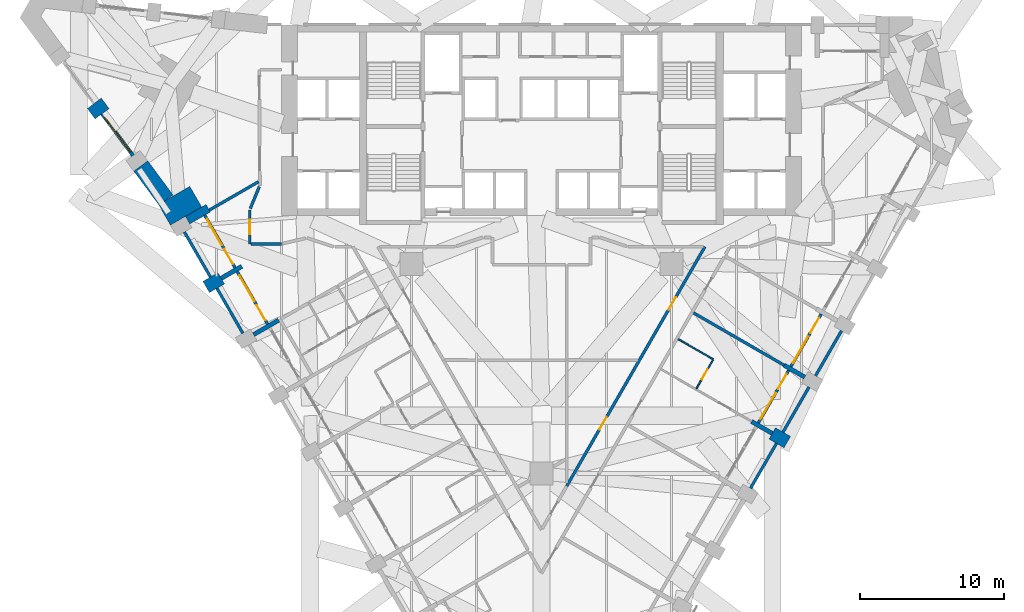
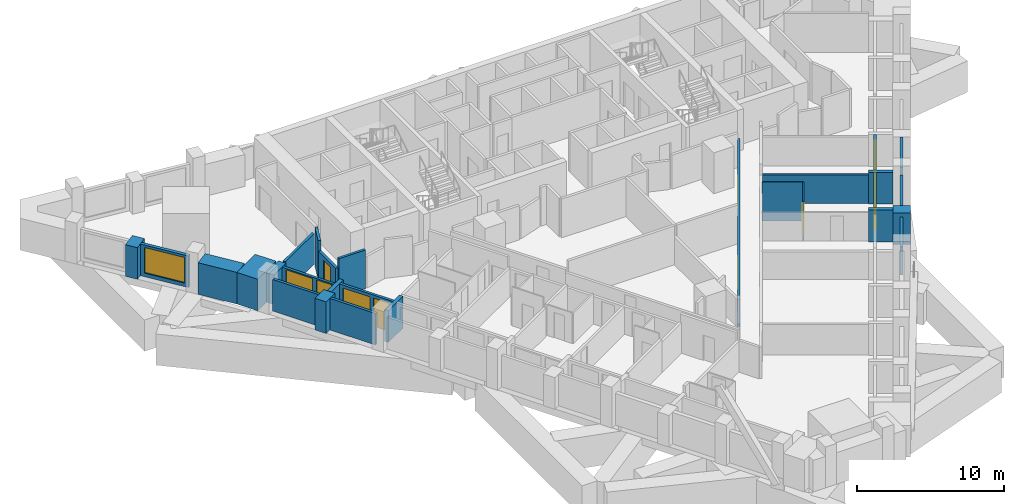
# One storey, part 6 of 12: 28 walls, 8 doors, 5 windows, 13 openings.
"""IFC4 building model written with IfcOpenShell, lengths in metres."""

from ifc_helpers import new_model, si_unit, direction, frame, frame_2d, origin, place, context, subcontext, project, spatial, polyline, rectangle, outline, extrude, material, layer, layer_set, type_object, element, fill, save


model = new_model("IFC4")

# Units and contexts
model_context = context("Model", 3, precision=1e-05, world=origin(), true_north=direction((0.0, 1.0)))
body_context = subcontext(model_context, "Body", "Model", "MODEL_VIEW")
ifc_project = project(units=[si_unit("LENGTHUNIT", "METRE"), si_unit("AREAUNIT", "SQUARE_METRE"), si_unit("VOLUMEUNIT", "CUBIC_METRE"), si_unit("PLANEANGLEUNIT", "RADIAN"), si_unit("MASSUNIT", "GRAM", prefix="KILO")], contexts=[model_context])

# Site, building, storey
site_placement = place(None, origin())
site = spatial("IfcSite", under=ifc_project, at=site_placement, CompositionType="ELEMENT")
building_placement = place(site_placement, origin())
building = spatial("IfcBuilding", under=site, at=building_placement, Name="Calabash Gate Tower", CompositionType="ELEMENT")
storey_placement = place(building_placement, frame((0.0, 0.0, 46.0)))
storey = spatial("IfcBuildingStorey", under=building, at=storey_placement, Name="L06", CompositionType="ELEMENT", Elevation=46.0)

# Walls
ifc_material_1 = material(Name="Terracotta brick masonry, exposed face", Category="masonry")
ifc_layer_1 = layer(ifc_material_1, 2.5)
ifc_layer_set_1 = layer_set([ifc_layer_1], Name="Brick corner mass wall 2500")
wall_type_1 = type_object("IfcWallType", Name="Brick corner mass wall 2500", PredefinedType="SOLIDWALL", material=ifc_layer_set_1)
wall_1_placement = place(storey_placement, origin())
element("IfcWall", 1, at=wall_1_placement, inside=storey, type_object=wall_type_1, Name="Brick corner pier S01 1", PredefinedType="SOLIDWALL", context=body_context, shape_type="SweptSolid", body=[
    extrude(outline(polyline([(-25.694580078125, 5.19970703125), (-24.6552734375, 5.7998046875), (-24.6552734375, 5.79931640625), (-23.529541015625, 6.44921875), (-24.3544921875, 7.878173828125), (-26.51953125, 6.628173828125), (-25.694580078125, 5.19921875), (-25.6943359375, 5.199462890625), (-25.694580078125, 5.19970703125)])), origin(), (0.0, 0.0, 1.0), 2.6298828125),
])
ifc_material_2 = material(Name="Terracotta brick masonry, exposed face", Category="masonry")
ifc_layer_2 = layer(ifc_material_2, 1.199951171875)
ifc_layer_set_2 = layer_set([ifc_layer_2], Name="Brick end wall 1200")
wall_type_2 = type_object("IfcWallType", Name="Brick end wall 1200", PredefinedType="SOLIDWALL", material=ifc_layer_set_2)
wall_2_placement = place(storey_placement, frame((-23.2197265625, 0.912353515625, 0.0), z_axis=(0.0, 0.0, 1.0), x_axis=(0.866006032174, 0.500033551112, 0.0)))
element("IfcWall", 2, at=wall_2_placement, inside=storey, type_object=wall_type_2, Name="Brick pier S01 SW0.1", PredefinedType="SOLIDWALL", context=body_context, shape_type="SweptSolid", body=[
    extrude(rectangle(XDim=1.2001953125, YDim=0.89990234375, at=frame_2d((0.60009765625, 0.0))), origin(), (0.0, 0.0, 1.0), 2.6298828125),
])
wall_3_placement = place(storey_placement, frame((17.01953125, -9.826171875, 0.0), z_axis=(0.0, 0.0, 1.0), x_axis=(-0.866043267704, 0.499969057507, 0.0)))
element("IfcWall", 3, at=wall_3_placement, inside=storey, type_object=wall_type_2, Name="Brick pier S01 SE2.5", PredefinedType="SOLIDWALL", context=body_context, shape_type="SweptSolid", body=[
    extrude(rectangle(XDim=1.19970703125, YDim=0.89990234375, at=frame_2d((0.599853515625, 0.0))), origin(), (0.0, 0.0, 1.0), 2.6298828125),
])
wall_4_placement = place(storey_placement, frame((-31.178466796875, 12.91015625, 0.0), z_axis=(0.0, 0.0, 1.0), x_axis=(0.803549985832, 0.595237280644, 0.0)))
element("IfcWall", 4, at=wall_4_placement, inside=storey, type_object=wall_type_2, Name="Brick pier S01 wedge7.1", PredefinedType="SOLIDWALL", context=body_context, shape_type="SweptSolid", body=[
    extrude(rectangle(XDim=1.2001953125, YDim=0.89990234375, at=frame_2d((0.60009765625, 0.0))), origin(), (0.0, 0.0, 1.0), 2.6298828125),
])
wall_5_placement = place(storey_placement, origin())
element("IfcWall", 5, at=wall_5_placement, inside=storey, type_object=wall_type_2, Name="Brick end wall S01 3", PredefinedType="SOLIDWALL", context=body_context, shape_type="SweptSolid", body=[
    extrude(outline(polyline([(-25.517822265625, 7.285400390625), (-27.267578125, 9.64697265625), (-27.26806640625, 9.646728515625), (-27.26806640625, 9.646484375), (-28.231689453125, 8.9326171875), (-26.50244140625, 6.5986328125), (-26.51953125, 6.628173828125), (-26.0, 6.92822265625), (-25.517822265625, 7.285400390625)])), origin(), (0.0, 0.0, 1.0), 2.6298828125),
])
ifc_material_3 = material(Name="Terracotta brick masonry, exposed face", Category="masonry")
ifc_layer_3 = layer(ifc_material_3, 0.300048828125)
ifc_layer_set_3 = layer_set([ifc_layer_3], Name="Brick loggia cheek wall 300")
wall_type_3 = type_object("IfcWallType", Name="Brick loggia cheek wall 300", PredefinedType="SOLIDWALL", material=ifc_layer_set_3)
wall_6_placement = place(storey_placement, frame((-24.505126953125, 5.53955078125, 0.0), z_axis=(0.0, 0.0, 1.0), x_axis=(0.866003217194, 0.500038426333, 0.0)))
element("IfcWall", 6, at=wall_6_placement, inside=storey, type_object=wall_type_3, Name="Loggia cheek S01 SW0.0", PredefinedType="SOLIDWALL", context=body_context, shape_type="SweptSolid", body=[
    extrude(rectangle(XDim=1.649658203125, YDim=0.60009765625, at=frame_2d((0.82470703125, 0.0))), origin(), (0.0, 0.0, 1.0), 2.4501953125),
])
wall_7_placement = place(storey_placement, frame((-22.180419921875, 1.512451171875, 0.0), z_axis=(0.0, 0.0, 1.0), x_axis=(0.866040211805, 0.499974350878, 0.0)))
element("IfcWall", 7, at=wall_7_placement, inside=storey, type_object=wall_type_3, Name="Loggia cheek S01 SW0.1", PredefinedType="SOLIDWALL", context=body_context, shape_type="SweptSolid", body=[
    extrude(rectangle(XDim=1.64990234375, YDim=0.300048828125, at=frame_2d((0.824951171875, 0.0))), origin(), (0.0, 0.0, 1.0), 2.64990234375),
])
wall_8_placement = place(storey_placement, frame((-19.9296875, -2.38427734375, 0.0), z_axis=(0.0, 0.0, 1.0), x_axis=(0.866057602843, 0.499944225447, 0.0)))
element("IfcWall", 8, at=wall_8_placement, inside=storey, type_object=wall_type_3, Name="Loggia cheek S01 SW0.2", PredefinedType="SOLIDWALL", context=body_context, shape_type="SweptSolid", body=[
    extrude(rectangle(XDim=2.001220703125, YDim=0.300048828125, at=frame_2d((1.00048828125, 0.0))), origin(), (0.0, 0.0, 1.0), 2.64990234375),
])
wall_9_placement = place(storey_placement, frame((15.98046875, -9.226318359375, 0.0), z_axis=(0.0, 0.0, 1.0), x_axis=(-0.866040211805, 0.499974350878, 0.0)))
element("IfcWall", 9, at=wall_9_placement, inside=storey, type_object=wall_type_3, Name="Loggia cheek S01 SE2.5", PredefinedType="SOLIDWALL", context=body_context, shape_type="SweptSolid", body=[
    extrude(rectangle(XDim=1.64990234375, YDim=0.300048828125, at=frame_2d((0.824951171875, 0.0))), origin(), (0.0, 0.0, 1.0), 2.64990234375),
])
wall_10_placement = place(storey_placement, frame((18.230224609375, -5.3291015625, 0.0), z_axis=(0.0, 0.0, 1.0), x_axis=(-0.866003217194, 0.500038426333, 0.0)))
element("IfcWall", 10, at=wall_10_placement, inside=storey, type_object=wall_type_3, Name="Loggia cheek S01 SE2.6", PredefinedType="SOLIDWALL", context=body_context, shape_type="SweptSolid", body=[
    extrude(rectangle(XDim=1.649658203125, YDim=0.300048828125, at=frame_2d((0.82470703125, 0.0))), origin(), (0.0, 0.0, 1.0), 2.64990234375),
])

# Wall, opening, door
ifc_material_4 = material(Name="Gypsum board on steel studs, mineral wool", Category="steel")
ifc_layer_4 = layer(ifc_material_4, 0.10009765625)
ifc_layer_set_4 = layer_set([ifc_layer_4], Name="Partition 100 gypsum board")
wall_type_4 = type_object("IfcWallType", Name="Partition 100 gypsum board", PredefinedType="PARTITIONING", material=ifc_layer_set_4)
wall_11_placement = place(storey_placement, frame((10.72216796875, -6.13037109375, 0.0), z_axis=(0.0, 0.0, 1.0), x_axis=(0.500617411337, 0.865668647617, 0.0)))
wall_11 = element("IfcWall", 11, at=wall_11_placement, inside=storey, type_object=wall_type_4, Name="Partition", PredefinedType="PARTITIONING", context=body_context, shape_type="SweptSolid", body=[
    extrude(rectangle(XDim=2.2978515625, YDim=0.10009765625, at=frame_2d((1.14892578125, 0.0))), origin(), (0.0, 0.0, 1.0), 3.22998046875),
])
opening_1_placement = place(wall_11_placement, frame((0.748046875, 0.0, 0.0)))
opening_1 = element("IfcOpeningElement", 12, at=opening_1_placement, cuts=wall_11, Name="Opening 06-08-012", PredefinedType="OPENING", context=body_context, shape_type="SweptSolid", body=[
    extrude(rectangle(XDim=0.800048828125, YDim=2.10009765625, at=frame_2d((0.39990234375, 1.050048828125))), frame((0.0, 0.06005859375, 0.0), z_axis=(0.0, -1.0, 0.0), x_axis=(1.0, 0.0, 0.0)), (0.0, 0.0, 1.0), 0.1201171875),
])
ifc_material_5 = material(Name="Painted timber door", Category="wood")
door_type_1 = type_object("IfcDoorType", Name="GD5 En-suite door 800x2100", OperationType="NOTDEFINED", PredefinedType="DOOR", material=ifc_material_5)
door_1_placement = place(opening_1_placement, origin())
door_1 = element("IfcDoor", 13, at=door_1_placement, inside=storey, type_object=door_type_1, Name="En-suite door", OperationType="SINGLE_SWING_RIGHT", OverallHeight=2.10009765625, OverallWidth=0.800048828125, PredefinedType="DOOR", context=body_context, shape_type="SweptSolid", body=[
    extrude(rectangle(XDim=0.800048828125, YDim=2.10009765625, at=frame_2d((0.39990234375, 1.050048828125))), frame((0.0, 0.02490234375, 0.0), z_axis=(0.0, -1.0, 0.0), x_axis=(1.0, 0.0, 0.0)), (0.0, 0.0, 1.0), 0.050048828125),
])
fill(opening_1, door_1)

# Wall
wall_12_placement = place(storey_placement, frame((9.47216796875, -2.69921875, 0.0), z_axis=(0.0, 0.0, 1.0), x_axis=(0.866288634608, -0.499543793424, 0.0)))
element("IfcWall", 14, at=wall_12_placement, inside=storey, type_object=wall_type_4, Name="Partition", PredefinedType="PARTITIONING", context=body_context, shape_type="SweptSolid", body=[
    extrude(rectangle(XDim=2.7998046875, YDim=0.10009765625, at=frame_2d((1.39990234375, 0.0))), origin(), (0.0, 0.0, 1.0), 3.22998046875),
])

# Wall, openings, doors
ifc_material_6 = material(Name="Gypsum board on steel studs, mineral wool", Category="steel")
ifc_layer_5 = layer(ifc_material_6, 0.199951171875)
ifc_layer_set_5 = layer_set([ifc_layer_5], Name="Partition 200 gypsum board EI 60")
wall_type_5 = type_object("IfcWallType", Name="Partition 200 gypsum board EI 60", PredefinedType="PARTITIONING", material=ifc_layer_set_5)
wall_13_placement = place(storey_placement, frame((1.75, -12.8701171875, 0.0), z_axis=(0.0, 0.0, 1.0), x_axis=(0.499999309361, 0.866025802525, 0.0)))
wall_13 = element("IfcWall", 15, at=wall_13_placement, inside=storey, type_object=wall_type_5, Name="Partition", PredefinedType="PARTITIONING", context=body_context, shape_type="SweptSolid", body=[
    extrude(rectangle(XDim=19.13427734375, YDim=0.199951171875, at=frame_2d((9.567138671875, 0.0))), origin(), (0.0, 0.0, 1.0), 2.302490234375),
])
opening_2_placement = place(wall_13_placement, frame((14.097900390625, 0.0, 0.0)))
opening_2 = element("IfcOpeningElement", 16, at=opening_2_placement, cuts=wall_13, Name="Opening 06-08-015", PredefinedType="OPENING", context=body_context, shape_type="SweptSolid", body=[
    extrude(rectangle(XDim=1.0, YDim=2.10009765625, at=frame_2d((0.5, 1.050048828125))), frame((0.0, 0.10986328125, 0.0), z_axis=(0.0, -1.0, 0.0), x_axis=(1.0, 0.0, 0.0)), (0.0, 0.0, 1.0), 0.219970703125),
])
opening_3_placement = place(wall_13_placement, frame((4.530029296875, 0.0, 0.0)))
opening_3 = element("IfcOpeningElement", 17, at=opening_3_placement, cuts=wall_13, Name="Opening 06-08-016", PredefinedType="OPENING", context=body_context, shape_type="SweptSolid", body=[
    extrude(rectangle(XDim=1.0, YDim=2.10009765625, at=frame_2d((0.5, 1.050048828125))), frame((0.0, 0.10986328125, 0.0), z_axis=(0.0, -1.0, 0.0), x_axis=(1.0, 0.0, 0.0)), (0.0, 0.0, 1.0), 0.219970703125),
])
ifc_material_7 = material(Name="Steel fire door set with fire-resisting glazing", Category="steel")
door_type_2 = type_object("IfcDoorType", Name="LD2 Meeting room door 1000x2100", OperationType="NOTDEFINED", PredefinedType="DOOR", material=ifc_material_7)
door_2_placement = place(opening_2_placement, origin())
door_2 = element("IfcDoor", 18, at=door_2_placement, inside=storey, type_object=door_type_2, Name="Meeting room door", OperationType="SINGLE_SWING_RIGHT", OverallHeight=2.10009765625, OverallWidth=1.0, PredefinedType="DOOR", context=body_context, shape_type="SweptSolid", body=[
    extrude(rectangle(XDim=1.0, YDim=2.10009765625, at=frame_2d((0.5, 1.050048828125))), frame((0.0, 0.02490234375, 0.0), z_axis=(0.0, -1.0, 0.0), x_axis=(1.0, 0.0, 0.0)), (0.0, 0.0, 1.0), 0.050048828125),
])
fill(opening_2, door_2)
door_3_placement = place(opening_3_placement, origin())
door_3 = element("IfcDoor", 19, at=door_3_placement, inside=storey, type_object=door_type_2, Name="Meeting room door", OperationType="SINGLE_SWING_LEFT", OverallHeight=2.10009765625, OverallWidth=1.0, PredefinedType="DOOR", context=body_context, shape_type="SweptSolid", body=[
    extrude(rectangle(XDim=1.0, YDim=2.10009765625, at=frame_2d((0.5, 1.050048828125))), frame((0.0, 0.02490234375, 0.0), z_axis=(0.0, -1.0, 0.0), x_axis=(1.0, 0.0, 0.0)), (0.0, 0.0, 1.0), 0.050048828125),
])
fill(opening_3, door_3)

# Walls
wall_14_placement = place(storey_placement, frame((10.525390625, -0.87841796875, 0.0), z_axis=(0.0, 0.0, 1.0), x_axis=(0.865907869998, -0.500203519255, 0.0)))
element("IfcWall", 20, at=wall_14_placement, inside=storey, type_object=wall_type_5, Name="Partition", PredefinedType="PARTITIONING", context=body_context, shape_type="SweptSolid", body=[
    extrude(rectangle(XDim=7.248046875, YDim=0.199951171875, at=frame_2d((3.6240234375, 0.0))), origin(), (0.0, 0.0, 1.0), 2.384033203125),
])
wall_15_placement = place(storey_placement, frame((-20.10009765625, 3.899658203125, 0.0), z_axis=(0.0, 0.0, 1.0), x_axis=(0.999999993243, -0.000116252034, 0.0)))
element("IfcWall", 21, at=wall_15_placement, inside=storey, type_object=wall_type_5, Name="Partition", PredefinedType="PARTITIONING", context=body_context, shape_type="SweptSolid", body=[
    extrude(rectangle(XDim=2.10009765625, YDim=0.199951171875, at=frame_2d((1.050048828125, 0.0))), origin(), (0.0, 0.0, 1.0), 3.22998046875),
])
wall_16_placement = place(storey_placement, frame((-23.001220703125, 6.234375, 0.0), z_axis=(0.0, 0.0, 1.0), x_axis=(0.866230957978, 0.499643800562, 0.0)))
element("IfcWall", 22, at=wall_16_placement, inside=storey, type_object=wall_type_5, Name="Partition", PredefinedType="PARTITIONING", context=body_context, shape_type="SweptSolid", body=[
    extrude(rectangle(XDim=3.94140625, YDim=0.199951171875, at=frame_2d((1.970703125, 0.0))), origin(), (0.0, 0.0, 1.0), 2.552001953125),
])

# Wall, opening, door
wall_17_placement = place(storey_placement, frame((-20.200439453125, 6.252685546875, 0.0), z_axis=(0.0, 0.0, 1.0), x_axis=(0.000103755965, -0.999999994617, 0.0)))
wall_17 = element("IfcWall", 23, at=wall_17_placement, inside=storey, type_object=wall_type_5, Name="Partition", PredefinedType="PARTITIONING", context=body_context, shape_type="SweptSolid", body=[
    extrude(rectangle(XDim=2.35302734375, YDim=0.199951171875, at=frame_2d((1.176513671875, 0.0))), origin(), (0.0, 0.0, 1.0), 2.4501953125),
])
opening_4_placement = place(wall_17_placement, frame((0.67626953125, 0.0, 0.0)))
opening_4 = element("IfcOpeningElement", 24, at=opening_4_placement, cuts=wall_17, Name="Opening 06-08-026", PredefinedType="OPENING", context=body_context, shape_type="SweptSolid", body=[
    extrude(rectangle(XDim=1.0, YDim=2.10009765625, at=frame_2d((0.5, 1.050048828125))), frame((0.0, 0.10986328125, 0.0), z_axis=(0.0, -1.0, 0.0), x_axis=(1.0, 0.0, 0.0)), (0.0, 0.0, 1.0), 0.219970703125),
])
door_4_placement = place(opening_4_placement, origin())
door_4 = element("IfcDoor", 25, at=door_4_placement, inside=storey, type_object=door_type_2, Name="Meeting room door", OperationType="SINGLE_SWING_LEFT", OverallHeight=2.10009765625, OverallWidth=1.0, PredefinedType="DOOR", context=body_context, shape_type="SweptSolid", body=[
    extrude(rectangle(XDim=1.0, YDim=2.10009765625, at=frame_2d((0.5, 1.050048828125))), frame((0.0, 0.02490234375, 0.0), z_axis=(0.0, -1.0, 0.0), x_axis=(1.0, 0.0, 0.0)), (0.0, 0.0, 1.0), 0.050048828125),
])
fill(opening_4, door_4)

# Wall
wall_18_placement = place(storey_placement, frame((-20.162353515625, 6.34521484375, 0.0), z_axis=(0.0, 0.0, 1.0), x_axis=(0.380749805254, 0.924678098475, 0.0)))
element("IfcWall", 26, at=wall_18_placement, inside=storey, type_object=wall_type_5, Name="Partition", PredefinedType="PARTITIONING", context=body_context, shape_type="SweptSolid", body=[
    extrude(rectangle(XDim=1.63818359375, YDim=0.199951171875, at=frame_2d((0.819091796875, 0.0))), origin(), (0.0, 0.0, 1.0), 3.22998046875),
])

# Wall, opening, window
ifc_material_8 = material(Name="Aluminium framed window wall with insulated spandrel", Category="aluminium")
ifc_layer_6 = layer(ifc_material_8, 0.25)
ifc_layer_set_6 = layer_set([ifc_layer_6], Name="Prow window wall 250")
wall_type_6 = type_object("IfcWallType", Name="Prow window wall 250", PredefinedType="ELEMENTEDWALL", material=ifc_layer_set_6)
wall_19_placement = place(storey_placement, frame((-30.428466796875, 12.905517578125, 0.0), z_axis=(0.0, 0.0, 1.0), x_axis=(0.595302153335, -0.803501926715, 0.0)))
wall_19 = element("IfcWall", 27, at=wall_19_placement, inside=storey, type_object=wall_type_6, Name="Prow window wall S01 wedge7.2", PredefinedType="ELEMENTEDWALL", context=body_context, shape_type="SweptSolid", body=[
    extrude(rectangle(XDim=3.599853515625, YDim=0.25, at=frame_2d((1.7998046875, 0.0))), origin(), (0.0, 0.0, 1.0), 2.6298828125),
])
opening_5_placement = place(wall_19_placement, frame((0.300048828125, 0.0, 0.300048828125)))
opening_5 = element("IfcOpeningElement", 28, at=opening_5_placement, cuts=wall_19, Name="Opening WP1L-2130", PredefinedType="OPENING", context=body_context, shape_type="SweptSolid", body=[
    extrude(rectangle(XDim=3.0, YDim=2.1298828125, at=frame_2d((1.5, 1.06494140625))), frame((0.0, 0.135009765625, 0.0), z_axis=(0.0, -1.0, 0.0), x_axis=(1.0, 0.0, 0.0)), (0.0, 0.0, 1.0), 0.27001953125),
])
ifc_material_9 = material(Name="Anodised aluminium frame, bronze finish, impact-rated laminated clear glazing", Category="aluminium")
window_type_1 = type_object("IfcWindowType", Name="Window WP1L 3000x2130", PartitioningType="DOUBLE_PANEL_VERTICAL", PredefinedType="WINDOW", material=ifc_material_9)
window_1_placement = place(opening_5_placement, origin())
window_1 = element("IfcWindow", 29, at=window_1_placement, inside=storey, type_object=window_type_1, Name="Prow window WP1L S01 wedge7.2", OverallHeight=2.1298828125, OverallWidth=3.0, PartitioningType="SINGLE_PANEL", PredefinedType="WINDOW", context=body_context, shape_type="SweptSolid", body=[
    extrude(rectangle(XDim=3.0, YDim=2.1298828125, at=frame_2d((1.5, 1.06494140625))), frame((0.0, 0.030029296875, 0.0), z_axis=(0.0, -1.0, 0.0), x_axis=(1.0, 0.0, 0.0)), (0.0, 0.0, 1.0), 0.06005859375),
])
fill(opening_5, window_1)

# Walls
ifc_material_10 = material(Name="Terracotta brick masonry, perforated", Category="masonry")
ifc_layer_7 = layer(ifc_material_10, 0.199951171875)
ifc_layer_set_7 = layer_set([ifc_layer_7], Name="Terracotta jaali screen A")
wall_type_7 = type_object("IfcWallType", Name="Terracotta jaali screen A", PredefinedType="SOLIDWALL", material=ifc_layer_set_7)
wall_20_placement = place(storey_placement, frame((-24.72509765625, 4.7197265625, 0.0), z_axis=(0.0, 0.0, 1.0), x_axis=(0.500012057535, -0.866018442252, 0.0)))
element("IfcWall", 30, at=wall_20_placement, inside=storey, type_object=wall_type_7, Name="SCREEN A S01 SW0.1", PredefinedType="SOLIDWALL", context=body_context, shape_type="SweptSolid", body=[
    extrude(rectangle(XDim=3.60009765625, YDim=0.199951171875, at=frame_2d((1.800048828125, 0.0))), origin(), (0.0, 0.0, 1.0), 2.6298828125),
])
wall_21_placement = place(storey_placement, origin())
element("IfcWall", 31, at=wall_21_placement, inside=storey, type_object=wall_type_7, Name="SCREEN A S01 SW0.2", PredefinedType="SOLIDWALL", context=body_context, shape_type="SweptSolid", body=[
    extrude(outline(polyline([(-22.5615234375, 0.772705078125), (-20.76220703125, -2.34375), (-20.589111328125, -2.24365234375), (-22.388427734375, 0.872802734375), (-22.5615234375, 0.772705078125)])), origin(), (0.0, 0.0, 1.0), 2.6298828125),
])
wall_22_placement = place(storey_placement, frame((14.47509765625, -13.03369140625, 0.0), z_axis=(0.0, 0.0, 1.0), x_axis=(0.499961193289, 0.866047807691, 0.0)))
element("IfcWall", 32, at=wall_22_placement, inside=storey, type_object=wall_type_7, Name="SCREEN A S01 SE2.5", PredefinedType="SOLIDWALL", context=body_context, shape_type="SweptSolid", body=[
    extrude(rectangle(XDim=3.599853515625, YDim=0.199951171875, at=frame_2d((1.7998046875, 0.0))), origin(), (0.0, 0.0, 1.0), 2.302490234375),
])
for number, where, z_axis, x_axis, name in (
    (33, (16.72509765625, -9.136474609375, 0.0), (0.0, 0.0, 1.0), (0.499961193289, 0.866047807691, 0.0), "SCREEN A S01 SE2.6"),
    (34, (18.97509765625, -5.239501953125, 0.0), (0.0, 0.0, 1.0), (0.499961193289, 0.866047807691, 0.0), "SCREEN A S01 SE2.7"),
):
    element("IfcWall", number, at=place(storey_placement, frame(where, z_axis=z_axis, x_axis=x_axis)), inside=storey, type_object=wall_type_7, Name=name, PredefinedType="SOLIDWALL", context=body_context, shape_type="SweptSolid", body=[
        extrude(rectangle(XDim=3.599853515625, YDim=0.199951171875, at=frame_2d((1.7998046875, 0.0))), origin(), (0.0, 0.0, 1.0), 2.6298828125),
    ])

# Wall, openings, door, window
ifc_material_11 = material(Name="Aluminium framed window wall with insulated spandrel", Category="aluminium")
ifc_layer_8 = layer(ifc_material_11, 0.199951171875)
ifc_layer_set_8 = layer_set([ifc_layer_8], Name="Window wall 200")
wall_type_8 = type_object("IfcWallType", Name="Window wall 200", PredefinedType="ELEMENTEDWALL", material=ifc_layer_set_8)
wall_23_placement = place(storey_placement, frame((-23.316162109375, 5.879638671875, 0.0), z_axis=(0.0, 0.0, 1.0), x_axis=(0.500027713859, -0.866009402589, 0.0)))
wall_23 = element("IfcWall", 35, at=wall_23_placement, inside=storey, type_object=wall_type_8, Name="Window wall S01 SW0.1", PredefinedType="ELEMENTEDWALL", context=body_context, shape_type="SweptSolid", body=[
    extrude(rectangle(XDim=4.199951171875, YDim=0.199951171875, at=frame_2d((2.10009765625, 0.0))), origin(), (0.0, 0.0, 1.0), 2.4501953125),
])
opening_6_placement = place(wall_23_placement, frame((0.300048828125, 0.0, 0.60009765625)))
opening_6 = element("IfcOpeningElement", 36, at=opening_6_placement, cuts=wall_23, Name="Opening HW1L-1750", PredefinedType="OPENING", context=body_context, shape_type="SweptSolid", body=[
    extrude(rectangle(XDim=2.10009765625, YDim=1.75, at=frame_2d((1.050048828125, 0.875))), frame((0.0, 0.10986328125, 0.0), z_axis=(0.0, -1.0, 0.0), x_axis=(1.0, 0.0, 0.0)), (0.0, 0.0, 1.0), 0.219970703125),
])
opening_7_placement = place(wall_23_placement, frame((2.699951171875, 0.0, 0.0)))
opening_7 = element("IfcOpeningElement", 37, at=opening_7_placement, cuts=wall_23, Name="Opening H1-025", PredefinedType="OPENING", context=body_context, shape_type="SweptSolid", body=[
    extrude(rectangle(XDim=1.199951171875, YDim=2.35009765625, at=frame_2d((0.60009765625, 1.175048828125))), frame((0.0, 0.10986328125, 0.0), z_axis=(0.0, -1.0, 0.0), x_axis=(1.0, 0.0, 0.0)), (0.0, 0.0, 1.0), 0.219970703125),
])
ifc_material_12 = material(Name="Anodised aluminium frame, bronze finish, impact-rated laminated clear glazing", Category="aluminium")
door_type_3 = type_object("IfcDoorType", Name="Loggia door DH1L-2350 1200x2350", OperationType="SLIDING_TO_LEFT", PredefinedType="DOOR", material=ifc_material_12)
door_5_placement = place(opening_7_placement, origin())
door_5 = element("IfcDoor", 38, at=door_5_placement, inside=storey, type_object=door_type_3, Name="Loggia door S01 SW0.1", OperationType="SINGLE_SWING_LEFT", OverallHeight=2.35009765625, OverallWidth=1.199951171875, PredefinedType="DOOR", context=body_context, shape_type="SweptSolid", body=[
    extrude(rectangle(XDim=1.199951171875, YDim=2.35009765625, at=frame_2d((0.60009765625, 1.175048828125))), frame((0.0, 0.02490234375, 0.0), z_axis=(0.0, -1.0, 0.0), x_axis=(1.0, 0.0, 0.0)), (0.0, 0.0, 1.0), 0.050048828125),
])
fill(opening_7, door_5)
ifc_material_13 = material(Name="Anodised aluminium frame, bronze finish, impact-rated laminated clear glazing", Category="aluminium")
window_type_2 = type_object("IfcWindowType", Name="Window HW1L 2100x1750", PartitioningType="DOUBLE_PANEL_VERTICAL", PredefinedType="WINDOW", material=ifc_material_13)
window_2_placement = place(opening_6_placement, origin())
window_2 = element("IfcWindow", 39, at=window_2_placement, inside=storey, type_object=window_type_2, Name="Window HW1 S01 SW0.1", OverallHeight=1.75, OverallWidth=2.10009765625, PartitioningType="SINGLE_PANEL", PredefinedType="WINDOW", context=body_context, shape_type="SweptSolid", body=[
    extrude(rectangle(XDim=2.10009765625, YDim=1.75, at=frame_2d((1.050048828125, 0.875))), frame((0.0, 0.030029296875, 0.0), z_axis=(0.0, -1.0, 0.0), x_axis=(1.0, 0.0, 0.0)), (0.0, 0.0, 1.0), 0.06005859375),
])
fill(opening_6, window_2)

wall_24_placement = place(storey_placement, frame((-21.066162109375, 1.982421875, 0.0), z_axis=(0.0, 0.0, 1.0), x_axis=(0.500027713859, -0.866009402589, 0.0)))
wall_24 = element("IfcWall", 40, at=wall_24_placement, inside=storey, type_object=wall_type_8, Name="Window wall S01 SW0.2", PredefinedType="ELEMENTEDWALL", context=body_context, shape_type="SweptSolid", body=[
    extrude(rectangle(XDim=4.199951171875, YDim=0.199951171875, at=frame_2d((2.10009765625, 0.0))), origin(), (0.0, 0.0, 1.0), 2.64990234375),
])
opening_8_placement = place(wall_24_placement, frame((0.300048828125, 0.0, 0.60009765625)))
opening_8 = element("IfcOpeningElement", 41, at=opening_8_placement, cuts=wall_24, Name="Opening HW1", PredefinedType="OPENING", context=body_context, shape_type="SweptSolid", body=[
    extrude(rectangle(XDim=2.10009765625, YDim=1.800048828125, at=frame_2d((1.050048828125, 0.89990234375))), frame((0.0, 0.10986328125, 0.0), z_axis=(0.0, -1.0, 0.0), x_axis=(1.0, 0.0, 0.0)), (0.0, 0.0, 1.0), 0.219970703125),
])
opening_9_placement = place(wall_24_placement, frame((2.699951171875, 0.0, 0.0)))
opening_9 = element("IfcOpeningElement", 42, at=opening_9_placement, cuts=wall_24, Name="Opening H1-026", PredefinedType="OPENING", context=body_context, shape_type="SweptSolid", body=[
    extrude(rectangle(XDim=1.199951171875, YDim=2.39990234375, at=frame_2d((0.60009765625, 1.199951171875))), frame((0.0, 0.10986328125, 0.0), z_axis=(0.0, -1.0, 0.0), x_axis=(1.0, 0.0, 0.0)), (0.0, 0.0, 1.0), 0.219970703125),
])
ifc_material_14 = material(Name="Anodised aluminium frame, bronze finish, impact-rated laminated clear glazing", Category="aluminium")
door_type_4 = type_object("IfcDoorType", Name="Loggia door DH1 1200x2400", OperationType="SLIDING_TO_LEFT", PredefinedType="DOOR", material=ifc_material_14)
door_6_placement = place(opening_9_placement, origin())
door_6 = element("IfcDoor", 43, at=door_6_placement, inside=storey, type_object=door_type_4, Name="Loggia door S01 SW0.2", OperationType="SINGLE_SWING_LEFT", OverallHeight=2.39990234375, OverallWidth=1.199951171875, PredefinedType="DOOR", context=body_context, shape_type="SweptSolid", body=[
    extrude(rectangle(XDim=1.199951171875, YDim=2.39990234375, at=frame_2d((0.60009765625, 1.199951171875))), frame((0.0, 0.02490234375, 0.0), z_axis=(0.0, -1.0, 0.0), x_axis=(1.0, 0.0, 0.0)), (0.0, 0.0, 1.0), 0.050048828125),
])
fill(opening_9, door_6)
ifc_material_15 = material(Name="Anodised aluminium frame, bronze finish, impact-rated laminated clear glazing", Category="aluminium")
window_type_3 = type_object("IfcWindowType", Name="Window HW1 2100x1800", PartitioningType="DOUBLE_PANEL_VERTICAL", PredefinedType="WINDOW", material=ifc_material_15)
window_3_placement = place(opening_8_placement, origin())
window_3 = element("IfcWindow", 44, at=window_3_placement, inside=storey, type_object=window_type_3, Name="Window HW1 S01 SW0.2", OverallHeight=1.800048828125, OverallWidth=2.10009765625, PartitioningType="SINGLE_PANEL", PredefinedType="WINDOW", context=body_context, shape_type="SweptSolid", body=[
    extrude(rectangle(XDim=2.10009765625, YDim=1.800048828125, at=frame_2d((1.050048828125, 0.89990234375))), frame((0.0, 0.030029296875, 0.0), z_axis=(0.0, -1.0, 0.0), x_axis=(1.0, 0.0, 0.0)), (0.0, 0.0, 1.0), 0.06005859375),
])
fill(opening_8, window_3)

wall_25_placement = place(storey_placement, frame((15.01611328125, -8.496337890625, 0.0), z_axis=(0.0, 0.0, 1.0), x_axis=(0.500027713859, 0.866009402589, 0.0)))
wall_25 = element("IfcWall", 45, at=wall_25_placement, inside=storey, type_object=wall_type_8, Name="Window wall S01 SE2.6", PredefinedType="ELEMENTEDWALL", context=body_context, shape_type="SweptSolid", body=[
    extrude(rectangle(XDim=4.199951171875, YDim=0.199951171875, at=frame_2d((2.10009765625, 0.0))), origin(), (0.0, 0.0, 1.0), 2.64990234375),
])
opening_10_placement = place(wall_25_placement, frame((0.300048828125, 0.0, 0.60009765625)))
opening_10 = element("IfcOpeningElement", 46, at=opening_10_placement, cuts=wall_25, Name="Opening HW1", PredefinedType="OPENING", context=body_context, shape_type="SweptSolid", body=[
    extrude(rectangle(XDim=2.10009765625, YDim=1.800048828125, at=frame_2d((1.050048828125, 0.89990234375))), frame((0.0, 0.10986328125, 0.0), z_axis=(0.0, -1.0, 0.0), x_axis=(1.0, 0.0, 0.0)), (0.0, 0.0, 1.0), 0.219970703125),
])
opening_11_placement = place(wall_25_placement, frame((2.699951171875, 0.0, 0.0)))
opening_11 = element("IfcOpeningElement", 47, at=opening_11_placement, cuts=wall_25, Name="Opening H1-020", PredefinedType="OPENING", context=body_context, shape_type="SweptSolid", body=[
    extrude(rectangle(XDim=1.199951171875, YDim=2.39990234375, at=frame_2d((0.60009765625, 1.199951171875))), frame((0.0, 0.10986328125, 0.0), z_axis=(0.0, -1.0, 0.0), x_axis=(1.0, 0.0, 0.0)), (0.0, 0.0, 1.0), 0.219970703125),
])
door_7_placement = place(opening_11_placement, origin())
door_7 = element("IfcDoor", 48, at=door_7_placement, inside=storey, type_object=door_type_4, Name="Loggia door S01 SE2.6", OperationType="SINGLE_SWING_LEFT", OverallHeight=2.39990234375, OverallWidth=1.199951171875, PredefinedType="DOOR", context=body_context, shape_type="SweptSolid", body=[
    extrude(rectangle(XDim=1.199951171875, YDim=2.39990234375, at=frame_2d((0.60009765625, 1.199951171875))), frame((0.0, 0.02490234375, 0.0), z_axis=(0.0, -1.0, 0.0), x_axis=(1.0, 0.0, 0.0)), (0.0, 0.0, 1.0), 0.050048828125),
])
fill(opening_11, door_7)
window_4_placement = place(opening_10_placement, origin())
window_4 = element("IfcWindow", 49, at=window_4_placement, inside=storey, type_object=window_type_3, Name="Window HW1 S01 SE2.6", OverallHeight=1.800048828125, OverallWidth=2.10009765625, PartitioningType="SINGLE_PANEL", PredefinedType="WINDOW", context=body_context, shape_type="SweptSolid", body=[
    extrude(rectangle(XDim=2.10009765625, YDim=1.800048828125, at=frame_2d((1.050048828125, 0.89990234375))), frame((0.0, 0.030029296875, 0.0), z_axis=(0.0, -1.0, 0.0), x_axis=(1.0, 0.0, 0.0)), (0.0, 0.0, 1.0), 0.06005859375),
])
fill(opening_10, window_4)

wall_26_placement = place(storey_placement, frame((17.26611328125, -4.599365234375, 0.0), z_axis=(0.0, 0.0, 1.0), x_axis=(0.500002543286, 0.866023935413, 0.0)))
wall_26 = element("IfcWall", 50, at=wall_26_placement, inside=storey, type_object=wall_type_8, Name="Window wall S01 SE2.7", PredefinedType="ELEMENTEDWALL", context=body_context, shape_type="SweptSolid", body=[
    extrude(rectangle(XDim=4.2001953125, YDim=0.199951171875, at=frame_2d((2.10009765625, 0.0))), origin(), (0.0, 0.0, 1.0), 2.64990234375),
])
opening_12_placement = place(wall_26_placement, frame((0.300048828125, 0.0, 0.60009765625)))
opening_12 = element("IfcOpeningElement", 51, at=opening_12_placement, cuts=wall_26, Name="Opening HW1", PredefinedType="OPENING", context=body_context, shape_type="SweptSolid", body=[
    extrude(rectangle(XDim=2.10009765625, YDim=1.800048828125, at=frame_2d((1.050048828125, 0.89990234375))), frame((0.0, 0.10986328125, 0.0), z_axis=(0.0, -1.0, 0.0), x_axis=(1.0, 0.0, 0.0)), (0.0, 0.0, 1.0), 0.219970703125),
])
opening_13_placement = place(wall_26_placement, frame((2.699951171875, 0.0, 0.0)))
opening_13 = element("IfcOpeningElement", 52, at=opening_13_placement, cuts=wall_26, Name="Opening H1-021", PredefinedType="OPENING", context=body_context, shape_type="SweptSolid", body=[
    extrude(rectangle(XDim=1.199951171875, YDim=2.39990234375, at=frame_2d((0.60009765625, 1.199951171875))), frame((0.0, 0.10986328125, 0.0), z_axis=(0.0, -1.0, 0.0), x_axis=(1.0, 0.0, 0.0)), (0.0, 0.0, 1.0), 0.219970703125),
])
door_8_placement = place(opening_13_placement, origin())
door_8 = element("IfcDoor", 53, at=door_8_placement, inside=storey, type_object=door_type_4, Name="Loggia door S01 SE2.7", OperationType="SINGLE_SWING_LEFT", OverallHeight=2.39990234375, OverallWidth=1.199951171875, PredefinedType="DOOR", context=body_context, shape_type="SweptSolid", body=[
    extrude(rectangle(XDim=1.199951171875, YDim=2.39990234375, at=frame_2d((0.60009765625, 1.199951171875))), frame((0.0, 0.02490234375, 0.0), z_axis=(0.0, -1.0, 0.0), x_axis=(1.0, 0.0, 0.0)), (0.0, 0.0, 1.0), 0.050048828125),
])
fill(opening_13, door_8)
window_5_placement = place(opening_12_placement, origin())
window_5 = element("IfcWindow", 54, at=window_5_placement, inside=storey, type_object=window_type_3, Name="Window HW1 S01 SE2.7", OverallHeight=1.800048828125, OverallWidth=2.10009765625, PartitioningType="SINGLE_PANEL", PredefinedType="WINDOW", context=body_context, shape_type="SweptSolid", body=[
    extrude(rectangle(XDim=2.10009765625, YDim=1.800048828125, at=frame_2d((1.050048828125, 0.89990234375))), frame((0.0, 0.030029296875, 0.0), z_axis=(0.0, -1.0, 0.0), x_axis=(1.0, 0.0, 0.0)), (0.0, 0.0, 1.0), 0.06005859375),
])
fill(opening_12, window_5)

save(model, "model.ifc")
